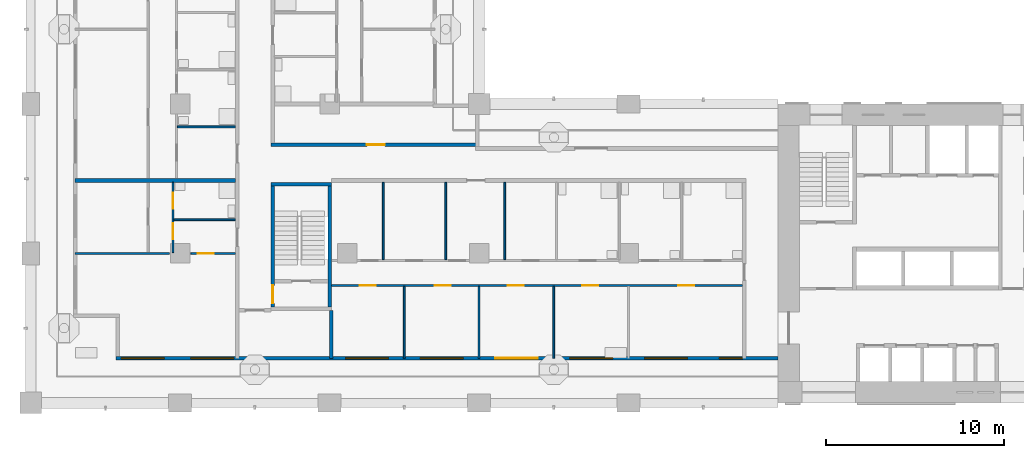
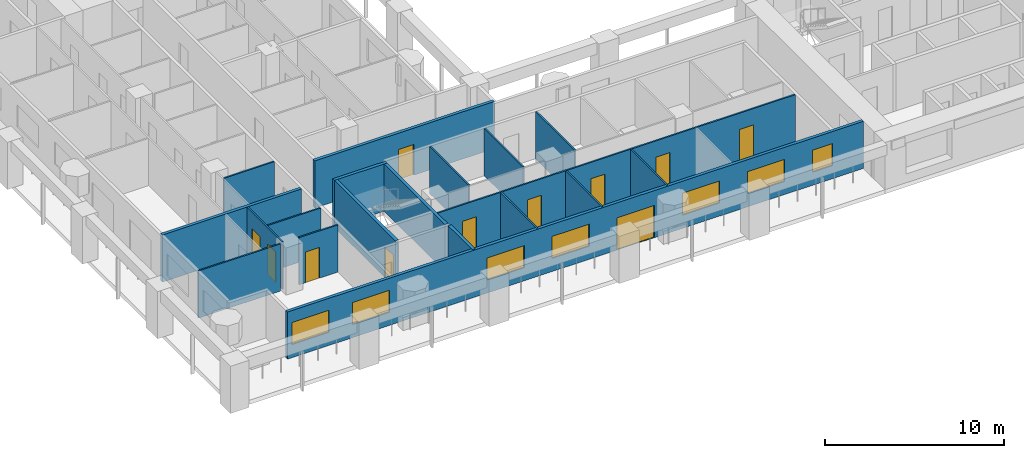
# One storey, part 2 of 19: 19 walls, 11 doors, 7 windows, 18 openings.
"""IFC4 building model written with IfcOpenShell, lengths in metres."""

from ifc_helpers import new_model, si_unit, direction, frame, frame_2d, origin, place, context, subcontext, project, spatial, rectangle, extrude, material, layer, layer_set, type_object, element, fill, save


model = new_model("IFC4")

# Units and contexts
model_context = context("Model", 3, precision=1e-05, world=origin(), true_north=direction((0.0, 1.0)))
body_context = subcontext(model_context, "Body", "Model", "MODEL_VIEW")
ifc_project = project(units=[si_unit("LENGTHUNIT", "METRE"), si_unit("AREAUNIT", "SQUARE_METRE"), si_unit("VOLUMEUNIT", "CUBIC_METRE"), si_unit("PLANEANGLEUNIT", "RADIAN"), si_unit("MASSUNIT", "GRAM", prefix="KILO")], contexts=[model_context])

# Site, building, storey
site_placement = place(None, origin())
site = spatial("IfcSite", under=ifc_project, at=site_placement, CompositionType="ELEMENT")
building_placement = place(site_placement, origin())
building = spatial("IfcBuilding", under=site, at=building_placement, Name="Vermilion Gate Residences", CompositionType="ELEMENT")
storey_placement = place(building_placement, frame((0.0, 0.0, 123.199951171875)))
storey = spatial("IfcBuildingStorey", under=building, at=storey_placement, Name="L31", CompositionType="ELEMENT", Elevation=123.199951171875)

# Wall, openings, door, windows
ifc_material_1 = material(Name="Insulated steel stud wall with terracotta rainscreen", Category="masonry")
ifc_layer_1 = layer(ifc_material_1, 0.199951171875)
ifc_layer_set_1 = layer_set([ifc_layer_1], Name="EXTERNAL WALL 200 TERRACOTTA RAINSCREEN")
wall_type_1 = type_object("IfcWallType", Name="EXTERNAL WALL 200 TERRACOTTA RAINSCREEN", PredefinedType="SOLIDWALL", material=ifc_layer_set_1)
wall_1_placement = place(storey_placement, frame((4.800048828125, 10.89990234375, 0.0), z_axis=(0.0, 0.0, 1.0), x_axis=(1.0, 0.0, 0.0)))
wall_1 = element("IfcWall", 1, at=wall_1_placement, inside=storey, type_object=wall_type_1, Name="External wall", PredefinedType="SOLIDWALL", context=body_context, shape_type="SweptSolid", body=[
    extrude(rectangle(XDim=37.199951171875, YDim=0.199951171875, at=frame_2d((18.60009765625, 0.0))), origin(), (0.0, 0.0, 1.0), 3.219970703125),
])
opening_1_placement = place(wall_1_placement, frame((0.300048828125, 0.0, 0.89990234375)))
opening_1 = element("IfcOpeningElement", 2, at=opening_1_placement, cuts=wall_1, Name="Opening WE31012", PredefinedType="OPENING", context=body_context, shape_type="SweptSolid", body=[
    extrude(rectangle(XDim=2.39990234375, YDim=1.5, at=frame_2d((1.199951171875, 0.75))), frame((0.0, 0.10986328125, 0.0), z_axis=(0.0, -1.0, 0.0), x_axis=(1.0, 0.0, 0.0)), (0.0, 0.0, 1.0), 0.219970703125),
])
opening_2_placement = place(wall_1_placement, frame((4.199951171875, 0.0, 0.89990234375)))
opening_2 = element("IfcOpeningElement", 3, at=opening_2_placement, cuts=wall_1, Name="Opening WE31013", PredefinedType="OPENING", context=body_context, shape_type="SweptSolid", body=[
    extrude(rectangle(XDim=2.39990234375, YDim=1.5, at=frame_2d((1.199951171875, 0.75))), frame((0.0, 0.10986328125, 0.0), z_axis=(0.0, -1.0, 0.0), x_axis=(1.0, 0.0, 0.0)), (0.0, 0.0, 1.0), 0.219970703125),
])
opening_3_placement = place(wall_1_placement, frame((12.89990234375, 0.0, 0.89990234375)))
opening_3 = element("IfcOpeningElement", 4, at=opening_3_placement, cuts=wall_1, Name="Opening WE31014", PredefinedType="OPENING", context=body_context, shape_type="SweptSolid", body=[
    extrude(rectangle(XDim=2.39990234375, YDim=1.5, at=frame_2d((1.199951171875, 0.75))), frame((0.0, 0.10986328125, 0.0), z_axis=(0.0, -1.0, 0.0), x_axis=(1.0, 0.0, 0.0)), (0.0, 0.0, 1.0), 0.219970703125),
])
opening_4_placement = place(wall_1_placement, frame((17.10009765625, 0.0, 0.89990234375)))
opening_4 = element("IfcOpeningElement", 5, at=opening_4_placement, cuts=wall_1, Name="Opening WE31015", PredefinedType="OPENING", context=body_context, shape_type="SweptSolid", body=[
    extrude(rectangle(XDim=2.39990234375, YDim=1.5, at=frame_2d((1.199951171875, 0.75))), frame((0.0, 0.10986328125, 0.0), z_axis=(0.0, -1.0, 0.0), x_axis=(1.0, 0.0, 0.0)), (0.0, 0.0, 1.0), 0.219970703125),
])
opening_5_placement = place(wall_1_placement, frame((21.300048828125, 0.0, 0.0)))
opening_5 = element("IfcOpeningElement", 6, at=opening_5_placement, cuts=wall_1, Name="Opening DE31016", PredefinedType="OPENING", context=body_context, shape_type="SweptSolid", body=[
    extrude(rectangle(XDim=2.39990234375, YDim=2.199951171875, at=frame_2d((1.199951171875, 1.10009765625))), frame((0.0, 0.10986328125, 0.0), z_axis=(0.0, -1.0, 0.0), x_axis=(1.0, 0.0, 0.0)), (0.0, 0.0, 1.0), 0.219970703125),
])
opening_6_placement = place(wall_1_placement, frame((25.5, 0.0, 0.89990234375)))
opening_6 = element("IfcOpeningElement", 7, at=opening_6_placement, cuts=wall_1, Name="Opening WE31017", PredefinedType="OPENING", context=body_context, shape_type="SweptSolid", body=[
    extrude(rectangle(XDim=2.39990234375, YDim=1.5, at=frame_2d((1.199951171875, 0.75))), frame((0.0, 0.10986328125, 0.0), z_axis=(0.0, -1.0, 0.0), x_axis=(1.0, 0.0, 0.0)), (0.0, 0.0, 1.0), 0.219970703125),
])
opening_7_placement = place(wall_1_placement, frame((29.699951171875, 0.0, 0.89990234375)))
opening_7 = element("IfcOpeningElement", 8, at=opening_7_placement, cuts=wall_1, Name="Opening WE31018", PredefinedType="OPENING", context=body_context, shape_type="SweptSolid", body=[
    extrude(rectangle(XDim=2.39990234375, YDim=1.5, at=frame_2d((1.199951171875, 0.75))), frame((0.0, 0.10986328125, 0.0), z_axis=(0.0, -1.0, 0.0), x_axis=(1.0, 0.0, 0.0)), (0.0, 0.0, 1.0), 0.219970703125),
])
opening_8_placement = place(wall_1_placement, frame((33.89990234375, 0.0, 0.89990234375)))
opening_8 = element("IfcOpeningElement", 9, at=opening_8_placement, cuts=wall_1, Name="Opening WE31019", PredefinedType="OPENING", context=body_context, shape_type="SweptSolid", body=[
    extrude(rectangle(XDim=1.300048828125, YDim=1.5, at=frame_2d((0.64990234375, 0.75))), frame((0.0, 0.10986328125, 0.0), z_axis=(0.0, -1.0, 0.0), x_axis=(1.0, 0.0, 0.0)), (0.0, 0.0, 1.0), 0.219970703125),
])
ifc_material_2 = material(Name="Aluminium and clear glass", Category="aluminium")
door_type_1 = type_object("IfcDoorType", Name="SLIDING GLAZED DOOR 2400 X 2200", OperationType="DOUBLE_DOOR_SLIDING", PredefinedType="DOOR", material=ifc_material_2)
door_1_placement = place(opening_5_placement, origin())
door_1 = element("IfcDoor", 10, at=door_1_placement, inside=storey, type_object=door_type_1, Name="Loggia sliding door", OperationType="DOUBLE_DOOR_SLIDING", OverallHeight=2.199951171875, OverallWidth=2.39990234375, PredefinedType="DOOR", context=body_context, shape_type="SweptSolid", body=[
    extrude(rectangle(XDim=2.39990234375, YDim=2.199951171875, at=frame_2d((1.199951171875, 1.10009765625))), frame((0.0, 0.02490234375, 0.0), z_axis=(0.0, -1.0, 0.0), x_axis=(1.0, 0.0, 0.0)), (0.0, 0.0, 1.0), 0.050048828125),
])
fill(opening_5, door_1)
ifc_material_3 = material(Name="Aluminium and clear glass", Category="aluminium")
window_type_1 = type_object("IfcWindowType", Name="WINDOW 1300 X 1500", PartitioningType="SINGLE_PANEL", PredefinedType="WINDOW", material=ifc_material_3)
window_1_placement = place(opening_8_placement, origin())
window_1 = element("IfcWindow", 11, at=window_1_placement, inside=storey, type_object=window_type_1, Name="Window", OverallHeight=1.5, OverallWidth=1.300048828125, PartitioningType="SINGLE_PANEL", PredefinedType="WINDOW", context=body_context, shape_type="SweptSolid", body=[
    extrude(rectangle(XDim=1.300048828125, YDim=1.5, at=frame_2d((0.64990234375, 0.75))), frame((0.0, 0.030029296875, 0.0), z_axis=(0.0, -1.0, 0.0), x_axis=(1.0, 0.0, 0.0)), (0.0, 0.0, 1.0), 0.06005859375),
])
fill(opening_8, window_1)
ifc_material_4 = material(Name="Aluminium and clear glass", Category="aluminium")
window_type_2 = type_object("IfcWindowType", Name="WINDOW 2400 X 1500", PartitioningType="SINGLE_PANEL", PredefinedType="WINDOW", material=ifc_material_4)
window_2_placement = place(opening_1_placement, origin())
window_2 = element("IfcWindow", 12, at=window_2_placement, inside=storey, type_object=window_type_2, Name="Window", OverallHeight=1.5, OverallWidth=2.39990234375, PartitioningType="SINGLE_PANEL", PredefinedType="WINDOW", context=body_context, shape_type="SweptSolid", body=[
    extrude(rectangle(XDim=2.39990234375, YDim=1.5, at=frame_2d((1.199951171875, 0.75))), frame((0.0, 0.030029296875, 0.0), z_axis=(0.0, -1.0, 0.0), x_axis=(1.0, 0.0, 0.0)), (0.0, 0.0, 1.0), 0.06005859375),
])
fill(opening_1, window_2)
window_3_placement = place(opening_2_placement, origin())
window_3 = element("IfcWindow", 13, at=window_3_placement, inside=storey, type_object=window_type_2, Name="Window", OverallHeight=1.5, OverallWidth=2.39990234375, PartitioningType="SINGLE_PANEL", PredefinedType="WINDOW", context=body_context, shape_type="SweptSolid", body=[
    extrude(rectangle(XDim=2.39990234375, YDim=1.5, at=frame_2d((1.199951171875, 0.75))), frame((0.0, 0.030029296875, 0.0), z_axis=(0.0, -1.0, 0.0), x_axis=(1.0, 0.0, 0.0)), (0.0, 0.0, 1.0), 0.06005859375),
])
fill(opening_2, window_3)
window_4_placement = place(opening_3_placement, origin())
window_4 = element("IfcWindow", 14, at=window_4_placement, inside=storey, type_object=window_type_2, Name="Window", OverallHeight=1.5, OverallWidth=2.39990234375, PartitioningType="SINGLE_PANEL", PredefinedType="WINDOW", context=body_context, shape_type="SweptSolid", body=[
    extrude(rectangle(XDim=2.39990234375, YDim=1.5, at=frame_2d((1.199951171875, 0.75))), frame((0.0, 0.030029296875, 0.0), z_axis=(0.0, -1.0, 0.0), x_axis=(1.0, 0.0, 0.0)), (0.0, 0.0, 1.0), 0.06005859375),
])
fill(opening_3, window_4)
window_5_placement = place(opening_4_placement, origin())
window_5 = element("IfcWindow", 15, at=window_5_placement, inside=storey, type_object=window_type_2, Name="Window", OverallHeight=1.5, OverallWidth=2.39990234375, PartitioningType="SINGLE_PANEL", PredefinedType="WINDOW", context=body_context, shape_type="SweptSolid", body=[
    extrude(rectangle(XDim=2.39990234375, YDim=1.5, at=frame_2d((1.199951171875, 0.75))), frame((0.0, 0.030029296875, 0.0), z_axis=(0.0, -1.0, 0.0), x_axis=(1.0, 0.0, 0.0)), (0.0, 0.0, 1.0), 0.06005859375),
])
fill(opening_4, window_5)
window_6_placement = place(opening_6_placement, origin())
window_6 = element("IfcWindow", 16, at=window_6_placement, inside=storey, type_object=window_type_2, Name="Window", OverallHeight=1.5, OverallWidth=2.39990234375, PartitioningType="SINGLE_PANEL", PredefinedType="WINDOW", context=body_context, shape_type="SweptSolid", body=[
    extrude(rectangle(XDim=2.39990234375, YDim=1.5, at=frame_2d((1.199951171875, 0.75))), frame((0.0, 0.030029296875, 0.0), z_axis=(0.0, -1.0, 0.0), x_axis=(1.0, 0.0, 0.0)), (0.0, 0.0, 1.0), 0.06005859375),
])
fill(opening_6, window_6)
window_7_placement = place(opening_7_placement, origin())
window_7 = element("IfcWindow", 17, at=window_7_placement, inside=storey, type_object=window_type_2, Name="Window", OverallHeight=1.5, OverallWidth=2.39990234375, PartitioningType="SINGLE_PANEL", PredefinedType="WINDOW", context=body_context, shape_type="SweptSolid", body=[
    extrude(rectangle(XDim=2.39990234375, YDim=1.5, at=frame_2d((1.199951171875, 0.75))), frame((0.0, 0.030029296875, 0.0), z_axis=(0.0, -1.0, 0.0), x_axis=(1.0, 0.0, 0.0)), (0.0, 0.0, 1.0), 0.06005859375),
])
fill(opening_7, window_7)

# Wall, openings, doors
ifc_material_5 = material(Name="Plasterboard on steel studs", Category="steel")
ifc_layer_2 = layer(ifc_material_5, 0.10009765625)
ifc_layer_set_2 = layer_set([ifc_layer_2], Name="PARTITION 100")
wall_type_2 = type_object("IfcWallType", Name="PARTITION 100", PredefinedType="PARTITIONING", material=ifc_layer_set_2)
wall_2_placement = place(storey_placement, frame((16.89990234375, 15.0, 0.0), z_axis=(0.0, 0.0, 1.0), x_axis=(1.0, 0.0, 0.0)))
wall_2 = element("IfcWall", 18, at=wall_2_placement, inside=storey, type_object=wall_type_2, Name="Partition", PredefinedType="PARTITIONING", context=body_context, shape_type="SweptSolid", body=[
    extrude(rectangle(XDim=23.10009765625, YDim=0.10009765625, at=frame_2d((11.550048828125, 0.0))), origin(), (0.0, 0.0, 1.0), 3.219970703125),
])
opening_9_placement = place(wall_2_placement, frame((1.60009765625, 0.0, 0.0)))
opening_9 = element("IfcOpeningElement", 19, at=opening_9_placement, cuts=wall_2, Name="Opening DA30002", PredefinedType="OPENING", context=body_context, shape_type="SweptSolid", body=[
    extrude(rectangle(XDim=0.89990234375, YDim=2.10009765625, at=frame_2d((0.449951171875, 1.050048828125))), frame((0.0, 0.06005859375, 0.0), z_axis=(0.0, -1.0, 0.0), x_axis=(1.0, 0.0, 0.0)), (0.0, 0.0, 1.0), 0.1201171875),
])
opening_10_placement = place(wall_2_placement, frame((5.800048828125, 0.0, 0.0)))
opening_10 = element("IfcOpeningElement", 20, at=opening_10_placement, cuts=wall_2, Name="Opening DA30003", PredefinedType="OPENING", context=body_context, shape_type="SweptSolid", body=[
    extrude(rectangle(XDim=0.89990234375, YDim=2.10009765625, at=frame_2d((0.449951171875, 1.050048828125))), frame((0.0, 0.06005859375, 0.0), z_axis=(0.0, -1.0, 0.0), x_axis=(1.0, 0.0, 0.0)), (0.0, 0.0, 1.0), 0.1201171875),
])
opening_11_placement = place(wall_2_placement, frame((9.89990234375, 0.0, 0.0)))
opening_11 = element("IfcOpeningElement", 21, at=opening_11_placement, cuts=wall_2, Name="Opening DA30004", PredefinedType="OPENING", context=body_context, shape_type="SweptSolid", body=[
    extrude(rectangle(XDim=0.89990234375, YDim=2.10009765625, at=frame_2d((0.449951171875, 1.050048828125))), frame((0.0, 0.06005859375, 0.0), z_axis=(0.0, -1.0, 0.0), x_axis=(1.0, 0.0, 0.0)), (0.0, 0.0, 1.0), 0.1201171875),
])
opening_12_placement = place(wall_2_placement, frame((14.10009765625, 0.0, 0.0)))
opening_12 = element("IfcOpeningElement", 22, at=opening_12_placement, cuts=wall_2, Name="Opening DA30005", PredefinedType="OPENING", context=body_context, shape_type="SweptSolid", body=[
    extrude(rectangle(XDim=0.89990234375, YDim=2.10009765625, at=frame_2d((0.449951171875, 1.050048828125))), frame((0.0, 0.06005859375, 0.0), z_axis=(0.0, -1.0, 0.0), x_axis=(1.0, 0.0, 0.0)), (0.0, 0.0, 1.0), 0.1201171875),
])
opening_13_placement = place(wall_2_placement, frame((19.5, 0.0, 0.0)))
opening_13 = element("IfcOpeningElement", 23, at=opening_13_placement, cuts=wall_2, Name="Opening DA30006", PredefinedType="OPENING", context=body_context, shape_type="SweptSolid", body=[
    extrude(rectangle(XDim=0.89990234375, YDim=2.10009765625, at=frame_2d((0.449951171875, 1.050048828125))), frame((0.0, 0.06005859375, 0.0), z_axis=(0.0, -1.0, 0.0), x_axis=(1.0, 0.0, 0.0)), (0.0, 0.0, 1.0), 0.1201171875),
])
ifc_material_6 = material(Name="Timber", Category="wood")
door_type_2 = type_object("IfcDoorType", Name="INTERIOR DOOR 900 X 2100", OperationType="SINGLE_SWING_LEFT", PredefinedType="DOOR", material=ifc_material_6)
door_2_placement = place(opening_9_placement, frame((0.89990234375, 0.0, 0.0), z_axis=(0.0, 0.0, 1.0), x_axis=(-1.0, 0.0, 0.0)))
door_2 = element("IfcDoor", 24, at=door_2_placement, inside=storey, type_object=door_type_2, Name="Interior door", OperationType="SINGLE_SWING_LEFT", OverallHeight=2.10009765625, OverallWidth=0.89990234375, PredefinedType="DOOR", context=body_context, shape_type="SweptSolid", body=[
    extrude(rectangle(XDim=0.89990234375, YDim=2.10009765625, at=frame_2d((0.449951171875, 1.050048828125))), frame((0.0, 0.02490234375, 0.0), z_axis=(0.0, -1.0, 0.0), x_axis=(1.0, 0.0, 0.0)), (0.0, 0.0, 1.0), 0.050048828125),
])
fill(opening_9, door_2)
door_3_placement = place(opening_10_placement, frame((0.89990234375, 0.0, 0.0), z_axis=(0.0, 0.0, 1.0), x_axis=(-1.0, 0.0, 0.0)))
door_3 = element("IfcDoor", 25, at=door_3_placement, inside=storey, type_object=door_type_2, Name="Interior door", OperationType="SINGLE_SWING_LEFT", OverallHeight=2.10009765625, OverallWidth=0.89990234375, PredefinedType="DOOR", context=body_context, shape_type="SweptSolid", body=[
    extrude(rectangle(XDim=0.89990234375, YDim=2.10009765625, at=frame_2d((0.449951171875, 1.050048828125))), frame((0.0, 0.02490234375, 0.0), z_axis=(0.0, -1.0, 0.0), x_axis=(1.0, 0.0, 0.0)), (0.0, 0.0, 1.0), 0.050048828125),
])
fill(opening_10, door_3)
door_4_placement = place(opening_11_placement, frame((0.89990234375, 0.0, 0.0), z_axis=(0.0, 0.0, 1.0), x_axis=(-1.0, 0.0, 0.0)))
door_4 = element("IfcDoor", 26, at=door_4_placement, inside=storey, type_object=door_type_2, Name="Interior door", OperationType="SINGLE_SWING_RIGHT", OverallHeight=2.10009765625, OverallWidth=0.89990234375, PredefinedType="DOOR", context=body_context, shape_type="SweptSolid", body=[
    extrude(rectangle(XDim=0.89990234375, YDim=2.10009765625, at=frame_2d((0.449951171875, 1.050048828125))), frame((0.0, 0.02490234375, 0.0), z_axis=(0.0, -1.0, 0.0), x_axis=(1.0, 0.0, 0.0)), (0.0, 0.0, 1.0), 0.050048828125),
])
fill(opening_11, door_4)
door_5_placement = place(opening_12_placement, frame((0.89990234375, 0.0, 0.0), z_axis=(0.0, 0.0, 1.0), x_axis=(-1.0, 0.0, 0.0)))
door_5 = element("IfcDoor", 27, at=door_5_placement, inside=storey, type_object=door_type_2, Name="Interior door", OperationType="SINGLE_SWING_RIGHT", OverallHeight=2.10009765625, OverallWidth=0.89990234375, PredefinedType="DOOR", context=body_context, shape_type="SweptSolid", body=[
    extrude(rectangle(XDim=0.89990234375, YDim=2.10009765625, at=frame_2d((0.449951171875, 1.050048828125))), frame((0.0, 0.02490234375, 0.0), z_axis=(0.0, -1.0, 0.0), x_axis=(1.0, 0.0, 0.0)), (0.0, 0.0, 1.0), 0.050048828125),
])
fill(opening_12, door_5)
door_6_placement = place(opening_13_placement, frame((0.89990234375, 0.0, 0.0), z_axis=(0.0, 0.0, 1.0), x_axis=(-1.0, 0.0, 0.0)))
door_6 = element("IfcDoor", 28, at=door_6_placement, inside=storey, type_object=door_type_2, Name="Interior door", OperationType="SINGLE_SWING_LEFT", OverallHeight=2.10009765625, OverallWidth=0.89990234375, PredefinedType="DOOR", context=body_context, shape_type="SweptSolid", body=[
    extrude(rectangle(XDim=0.89990234375, YDim=2.10009765625, at=frame_2d((0.449951171875, 1.050048828125))), frame((0.0, 0.02490234375, 0.0), z_axis=(0.0, -1.0, 0.0), x_axis=(1.0, 0.0, 0.0)), (0.0, 0.0, 1.0), 0.050048828125),
])
fill(opening_13, door_6)

# Wall
wall_3_placement = place(storey_placement, frame((2.5, 16.800048828125, 0.0), z_axis=(0.0, 0.0, 1.0), x_axis=(1.0, 0.0, 0.0)))
element("IfcWall", 29, at=wall_3_placement, inside=storey, type_object=wall_type_2, Name="Partition", PredefinedType="PARTITIONING", context=body_context, shape_type="SweptSolid", body=[
    extrude(rectangle(XDim=5.300048828125, YDim=0.10009765625, at=frame_2d((2.64990234375, 0.0))), origin(), (0.0, 0.0, 1.0), 3.219970703125),
])

# Wall, opening, door
wall_4_placement = place(storey_placement, frame((9.0, 16.800048828125, 0.0), z_axis=(0.0, 0.0, 1.0), x_axis=(1.0, 0.0, 0.0)))
wall_4 = element("IfcWall", 30, at=wall_4_placement, inside=storey, type_object=wall_type_2, Name="Partition", PredefinedType="PARTITIONING", context=body_context, shape_type="SweptSolid", body=[
    extrude(rectangle(XDim=2.5, YDim=0.10009765625, at=frame_2d((1.25, 0.0))), origin(), (0.0, 0.0, 1.0), 3.219970703125),
])
opening_14_placement = place(wall_4_placement, frame((0.39990234375, 0.0, 0.0)))
opening_14 = element("IfcOpeningElement", 31, at=opening_14_placement, cuts=wall_4, Name="Opening DA30014", PredefinedType="OPENING", context=body_context, shape_type="SweptSolid", body=[
    extrude(rectangle(XDim=0.89990234375, YDim=2.10009765625, at=frame_2d((0.449951171875, 1.050048828125))), frame((0.0, 0.06005859375, 0.0), z_axis=(0.0, -1.0, 0.0), x_axis=(1.0, 0.0, 0.0)), (0.0, 0.0, 1.0), 0.1201171875),
])
door_7_placement = place(opening_14_placement, frame((0.89990234375, 0.0, 0.0), z_axis=(0.0, 0.0, 1.0), x_axis=(-1.0, 0.0, 0.0)))
door_7 = element("IfcDoor", 32, at=door_7_placement, inside=storey, type_object=door_type_2, Name="Interior door", OperationType="SINGLE_SWING_RIGHT", OverallHeight=2.10009765625, OverallWidth=0.89990234375, PredefinedType="DOOR", context=body_context, shape_type="SweptSolid", body=[
    extrude(rectangle(XDim=0.89990234375, YDim=2.10009765625, at=frame_2d((0.449951171875, 1.050048828125))), frame((0.0, 0.02490234375, 0.0), z_axis=(0.0, -1.0, 0.0), x_axis=(1.0, 0.0, 0.0)), (0.0, 0.0, 1.0), 0.050048828125),
])
fill(opening_14, door_7)

# Walls
wall_5_placement = place(storey_placement, frame((8.050048828125, 18.699951171875, 0.0), z_axis=(0.0, 0.0, 1.0), x_axis=(1.0, 0.0, 0.0)))
element("IfcWall", 33, at=wall_5_placement, inside=storey, type_object=wall_type_2, Name="Partition", PredefinedType="PARTITIONING", context=body_context, shape_type="SweptSolid", body=[
    extrude(rectangle(XDim=3.449951171875, YDim=0.10009765625, at=frame_2d((1.72509765625, 0.0))), origin(), (0.0, 0.0, 1.0), 3.219970703125),
])
wall_6_placement = place(storey_placement, frame((8.25, 23.9140625, 0.0), z_axis=(0.0, 0.0, 1.0), x_axis=(1.0, 0.0, 0.0)))
element("IfcWall", 34, at=wall_6_placement, inside=storey, type_object=wall_type_2, Name="Partition", PredefinedType="PARTITIONING", context=body_context, shape_type="SweptSolid", body=[
    extrude(rectangle(XDim=3.25, YDim=0.10009765625, at=frame_2d((1.625, 0.0))), origin(), (0.0, 0.0, 1.0), 3.219970703125),
])

# Wall, openings, doors
wall_7_placement = place(storey_placement, frame((8.0, 16.85009765625, 0.0), z_axis=(0.0, 0.0, 1.0), x_axis=(0.0, 1.0, 0.0)))
wall_7 = element("IfcWall", 35, at=wall_7_placement, inside=storey, type_object=wall_type_2, Name="Partition", PredefinedType="PARTITIONING", context=body_context, shape_type="SweptSolid", body=[
    extrude(rectangle(XDim=3.949951171875, YDim=0.10009765625, at=frame_2d((1.97509765625, 0.0))), origin(), (0.0, 0.0, 1.0), 3.219970703125),
])
opening_15_placement = place(wall_7_placement, frame((0.75, 0.0, 0.0)))
opening_15 = element("IfcOpeningElement", 36, at=opening_15_placement, cuts=wall_7, Name="Opening DA30027", PredefinedType="OPENING", context=body_context, shape_type="SweptSolid", body=[
    extrude(rectangle(XDim=0.89990234375, YDim=2.10009765625, at=frame_2d((0.449951171875, 1.050048828125))), frame((0.0, 0.06005859375, 0.0), z_axis=(0.0, -1.0, 0.0), x_axis=(1.0, 0.0, 0.0)), (0.0, 0.0, 1.0), 0.1201171875),
])
opening_16_placement = place(wall_7_placement, frame((2.449951171875, 0.0, 0.0)))
opening_16 = element("IfcOpeningElement", 37, at=opening_16_placement, cuts=wall_7, Name="Opening DA30028", PredefinedType="OPENING", context=body_context, shape_type="SweptSolid", body=[
    extrude(rectangle(XDim=0.89990234375, YDim=2.10009765625, at=frame_2d((0.449951171875, 1.050048828125))), frame((0.0, 0.06005859375, 0.0), z_axis=(0.0, -1.0, 0.0), x_axis=(1.0, 0.0, 0.0)), (0.0, 0.0, 1.0), 0.1201171875),
])
door_8_placement = place(opening_15_placement, origin())
door_8 = element("IfcDoor", 38, at=door_8_placement, inside=storey, type_object=door_type_2, Name="Interior door", OperationType="SINGLE_SWING_RIGHT", OverallHeight=2.10009765625, OverallWidth=0.89990234375, PredefinedType="DOOR", context=body_context, shape_type="SweptSolid", body=[
    extrude(rectangle(XDim=0.89990234375, YDim=2.10009765625, at=frame_2d((0.449951171875, 1.050048828125))), frame((0.0, 0.02490234375, 0.0), z_axis=(0.0, -1.0, 0.0), x_axis=(1.0, 0.0, 0.0)), (0.0, 0.0, 1.0), 0.050048828125),
])
fill(opening_15, door_8)
door_9_placement = place(opening_16_placement, frame((0.89990234375, 0.0, 0.0), z_axis=(0.0, 0.0, 1.0), x_axis=(-1.0, 0.0, 0.0)))
door_9 = element("IfcDoor", 39, at=door_9_placement, inside=storey, type_object=door_type_2, Name="Interior door", OperationType="SINGLE_SWING_LEFT", OverallHeight=2.10009765625, OverallWidth=0.89990234375, PredefinedType="DOOR", context=body_context, shape_type="SweptSolid", body=[
    extrude(rectangle(XDim=0.89990234375, YDim=2.10009765625, at=frame_2d((0.449951171875, 1.050048828125))), frame((0.0, 0.02490234375, 0.0), z_axis=(0.0, -1.0, 0.0), x_axis=(1.0, 0.0, 0.0)), (0.0, 0.0, 1.0), 0.050048828125),
])
fill(opening_16, door_9)

# Walls
wall_8_placement = place(storey_placement, frame((19.81396484375, 16.449951171875, 0.0), z_axis=(0.0, 0.0, 1.0), x_axis=(0.0, 1.0, 0.0)))
element("IfcWall", 40, at=wall_8_placement, inside=storey, type_object=wall_type_2, Name="Partition", PredefinedType="PARTITIONING", context=body_context, shape_type="SweptSolid", body=[
    extrude(rectangle(XDim=4.35009765625, YDim=0.10009765625, at=frame_2d((2.175048828125, 0.0))), origin(), (0.0, 0.0, 1.0), 3.219970703125),
])
wall_9_placement = place(storey_placement, frame((21.0, 10.89990234375, 0.0), z_axis=(0.0, 0.0, 1.0), x_axis=(0.0, 1.0, 0.0)))
element("IfcWall", 41, at=wall_9_placement, inside=storey, type_object=wall_type_2, Name="Partition", PredefinedType="PARTITIONING", context=body_context, shape_type="SweptSolid", body=[
    extrude(rectangle(XDim=4.050048828125, YDim=0.10009765625, at=frame_2d((2.02490234375, 0.0))), origin(), (0.0, 0.0, 1.0), 3.219970703125),
])
wall_10_placement = place(storey_placement, frame((23.3291015625, 16.449951171875, 0.0), z_axis=(0.0, 0.0, 1.0), x_axis=(0.0, 1.0, 0.0)))
element("IfcWall", 42, at=wall_10_placement, inside=storey, type_object=wall_type_2, Name="Partition", PredefinedType="PARTITIONING", context=body_context, shape_type="SweptSolid", body=[
    extrude(rectangle(XDim=4.35009765625, YDim=0.10009765625, at=frame_2d((2.175048828125, 0.0))), origin(), (0.0, 0.0, 1.0), 3.219970703125),
])
wall_11_placement = place(storey_placement, frame((25.199951171875, 10.89990234375, 0.0), z_axis=(0.0, 0.0, 1.0), x_axis=(0.0, 1.0, 0.0)))
element("IfcWall", 43, at=wall_11_placement, inside=storey, type_object=wall_type_2, Name="Partition", PredefinedType="PARTITIONING", context=body_context, shape_type="SweptSolid", body=[
    extrude(rectangle(XDim=4.050048828125, YDim=0.10009765625, at=frame_2d((2.02490234375, 0.0))), origin(), (0.0, 0.0, 1.0), 3.219970703125),
])
wall_12_placement = place(storey_placement, frame((26.64306640625, 16.449951171875, 0.0), z_axis=(0.0, 0.0, 1.0), x_axis=(0.0, 1.0, 0.0)))
element("IfcWall", 44, at=wall_12_placement, inside=storey, type_object=wall_type_2, Name="Partition", PredefinedType="PARTITIONING", context=body_context, shape_type="SweptSolid", body=[
    extrude(rectangle(XDim=4.35009765625, YDim=0.10009765625, at=frame_2d((2.175048828125, 0.0))), origin(), (0.0, 0.0, 1.0), 3.219970703125),
])
wall_13_placement = place(storey_placement, frame((29.39990234375, 10.89990234375, 0.0), z_axis=(0.0, 0.0, 1.0), x_axis=(0.0, 1.0, 0.0)))
element("IfcWall", 45, at=wall_13_placement, inside=storey, type_object=wall_type_2, Name="Partition", PredefinedType="PARTITIONING", context=body_context, shape_type="SweptSolid", body=[
    extrude(rectangle(XDim=4.050048828125, YDim=0.10009765625, at=frame_2d((2.02490234375, 0.0))), origin(), (0.0, 0.0, 1.0), 3.219970703125),
])
ifc_material_7 = material(Name="Fire-rated plasterboard on steel studs", Category="steel")
ifc_layer_3 = layer(ifc_material_7, 0.199951171875)
ifc_layer_set_3 = layer_set([ifc_layer_3], Name="PARTY WALL 200 EI 120")
wall_type_3 = type_object("IfcWallType", Name="PARTY WALL 200 EI 120", PredefinedType="PARTITIONING", material=ifc_layer_set_3)
wall_14_placement = place(storey_placement, frame((2.5, 20.89990234375, 0.0), z_axis=(0.0, 0.0, 1.0), x_axis=(1.0, 0.0, 0.0)))
element("IfcWall", 46, at=wall_14_placement, inside=storey, type_object=wall_type_3, Name="Party and corridor wall", PredefinedType="PARTITIONING", context=body_context, shape_type="SweptSolid", body=[
    extrude(rectangle(XDim=9.0, YDim=0.199951171875, at=frame_2d((4.5, 0.0))), origin(), (0.0, 0.0, 1.0), 3.219970703125),
])

# Wall, opening, door
wall_15_placement = place(storey_placement, frame((13.5, 22.89990234375, 0.0), z_axis=(0.0, 0.0, 1.0), x_axis=(1.0, 0.0, 0.0)))
wall_15 = element("IfcWall", 47, at=wall_15_placement, inside=storey, type_object=wall_type_3, Name="Party and corridor wall", PredefinedType="PARTITIONING", context=body_context, shape_type="SweptSolid", body=[
    extrude(rectangle(XDim=11.60009765625, YDim=0.199951171875, at=frame_2d((5.800048828125, 0.0))), origin(), (0.0, 0.0, 1.0), 3.219970703125),
])
opening_17_placement = place(wall_15_placement, frame((5.39990234375, 0.0, 0.0)))
opening_17 = element("IfcOpeningElement", 48, at=opening_17_placement, cuts=wall_15, Name="Opening DA30016", PredefinedType="OPENING", context=body_context, shape_type="SweptSolid", body=[
    extrude(rectangle(XDim=1.0, YDim=2.10009765625, at=frame_2d((0.5, 1.050048828125))), frame((0.0, 0.10986328125, 0.0), z_axis=(0.0, -1.0, 0.0), x_axis=(1.0, 0.0, 0.0)), (0.0, 0.0, 1.0), 0.219970703125),
])
ifc_material_8 = material(Name="Steel", Category="steel")
door_type_3 = type_object("IfcDoorType", Name="ENTRANCE DOOR 1000 X 2100 FD30", OperationType="SINGLE_SWING_LEFT", PredefinedType="DOOR", material=ifc_material_8)
door_10_placement = place(opening_17_placement, origin())
door_10 = element("IfcDoor", 49, at=door_10_placement, inside=storey, type_object=door_type_3, Name="Entrance door", OperationType="SINGLE_SWING_LEFT", OverallHeight=2.10009765625, OverallWidth=1.0, PredefinedType="DOOR", context=body_context, shape_type="SweptSolid", body=[
    extrude(rectangle(XDim=1.0, YDim=2.10009765625, at=frame_2d((0.5, 1.050048828125))), frame((0.0, 0.02490234375, 0.0), z_axis=(0.0, -1.0, 0.0), x_axis=(1.0, 0.0, 0.0)), (0.0, 0.0, 1.0), 0.050048828125),
])
fill(opening_17, door_10)

# Wall
wall_16_placement = place(storey_placement, frame((16.89990234375, 10.89990234375, 0.0), z_axis=(0.0, 0.0, 1.0), x_axis=(0.0, 1.0, 0.0)))
element("IfcWall", 50, at=wall_16_placement, inside=storey, type_object=wall_type_3, Name="Party and corridor wall", PredefinedType="PARTITIONING", context=body_context, shape_type="SweptSolid", body=[
    extrude(rectangle(XDim=2.7001953125, YDim=0.199951171875, at=frame_2d((1.35009765625, 0.0))), origin(), (0.0, 0.0, 1.0), 3.219970703125),
])

# Wall, opening, door
ifc_material_9 = material(Name="Concrete C60", Category="concrete")
ifc_layer_4 = layer(ifc_material_9, 0.199951171875)
ifc_layer_set_4 = layer_set([ifc_layer_4], Name="RC CORE INTERNAL WALL 200 C60")
wall_type_4 = type_object("IfcWallType", Name="RC CORE INTERNAL WALL 200 C60", PredefinedType="SHEAR", material=ifc_layer_set_4)
wall_17_placement = place(storey_placement, frame((13.60009765625, 13.800048828125, 0.0), z_axis=(0.0, 0.0, 1.0), x_axis=(0.0, 1.0, 0.0)))
wall_17 = element("IfcWall", 51, at=wall_17_placement, inside=storey, type_object=wall_type_4, Name="Core internal wall C31-W", PredefinedType="SHEAR", context=body_context, shape_type="SweptSolid", body=[
    extrude(rectangle(XDim=6.800048828125, YDim=0.199951171875, at=frame_2d((3.39990234375, 0.0))), origin(), (0.0, 0.0, 1.0), 3.219970703125),
])
opening_18_placement = place(wall_17_placement, frame((0.199951171875, 0.0, 0.0)))
opening_18 = element("IfcOpeningElement", 52, at=opening_18_placement, cuts=wall_17, Name="Opening DK31201", PredefinedType="OPENING", context=body_context, shape_type="SweptSolid", body=[
    extrude(rectangle(XDim=1.0, YDim=2.10009765625, at=frame_2d((0.5, 1.050048828125))), frame((0.0, 0.10986328125, 0.0), z_axis=(0.0, -1.0, 0.0), x_axis=(1.0, 0.0, 0.0)), (0.0, 0.0, 1.0), 0.219970703125),
])
ifc_material_10 = material(Name="Steel", Category="steel")
door_type_4 = type_object("IfcDoorType", Name="FIRE DOOR FD60 1000 X 2100", OperationType="SINGLE_SWING_LEFT", PredefinedType="DOOR", material=ifc_material_10)
door_11_placement = place(opening_18_placement, frame((1.0, 0.0, 0.0), z_axis=(0.0, 0.0, 1.0), x_axis=(-1.0, 0.0, 0.0)))
door_11 = element("IfcDoor", 53, at=door_11_placement, inside=storey, type_object=door_type_4, Name="Stair vestibule door C31", OperationType="SINGLE_SWING_LEFT", OverallHeight=2.10009765625, OverallWidth=1.0, PredefinedType="DOOR", context=body_context, shape_type="SweptSolid", body=[
    extrude(rectangle(XDim=1.0, YDim=2.10009765625, at=frame_2d((0.5, 1.050048828125))), frame((0.0, 0.02490234375, 0.0), z_axis=(0.0, -1.0, 0.0), x_axis=(1.0, 0.0, 0.0)), (0.0, 0.0, 1.0), 0.050048828125),
])
fill(opening_18, door_11)

# Walls
wall_18_placement = place(storey_placement, frame((16.800048828125, 13.800048828125, 0.0), z_axis=(0.0, 0.0, 1.0), x_axis=(0.0, 1.0, 0.0)))
element("IfcWall", 54, at=wall_18_placement, inside=storey, type_object=wall_type_4, Name="Core internal wall C31-E", PredefinedType="SHEAR", context=body_context, shape_type="SweptSolid", body=[
    extrude(rectangle(XDim=6.800048828125, YDim=0.199951171875, at=frame_2d((3.39990234375, 0.0))), origin(), (0.0, 0.0, 1.0), 3.219970703125),
])
wall_19_placement = place(storey_placement, frame((13.5, 20.699951171875, 0.0), z_axis=(0.0, 0.0, 1.0), x_axis=(1.0, 0.0, 0.0)))
element("IfcWall", 55, at=wall_19_placement, inside=storey, type_object=wall_type_4, Name="Core internal wall C31-N", PredefinedType="SHEAR", context=body_context, shape_type="SweptSolid", body=[
    extrude(rectangle(XDim=3.39990234375, YDim=0.199951171875, at=frame_2d((1.699951171875, 0.0))), origin(), (0.0, 0.0, 1.0), 3.219970703125),
])

save(model, "model.ifc")
